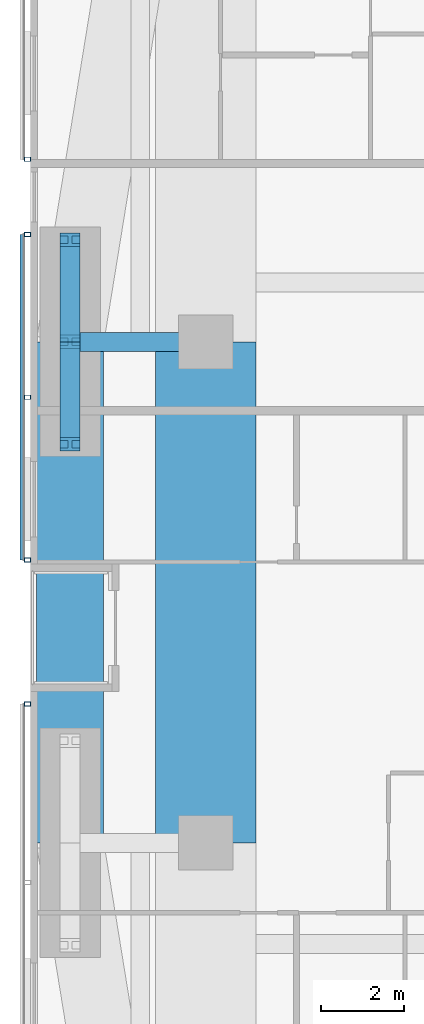
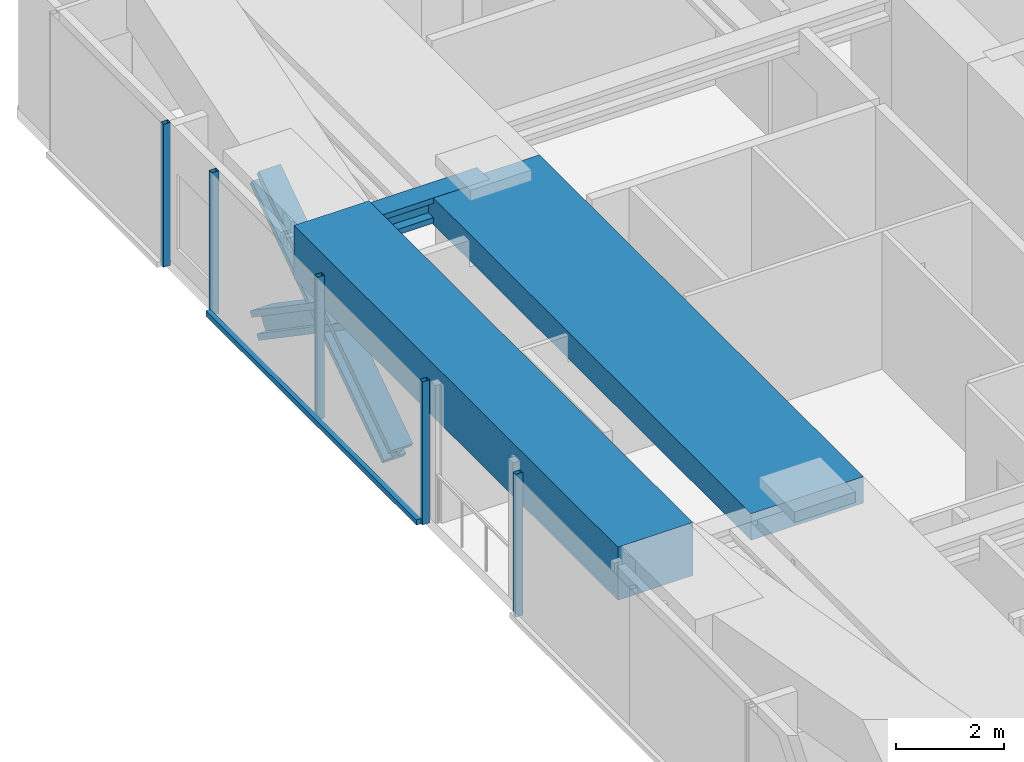
# One storey, part 6 of 24: 10 members, 3 beams, 3 elements without a shape of their own.
"""IFC4 building model written with IfcOpenShell, lengths in metres."""

from ifc_helpers import new_model, si_unit, direction, frame, origin, origin_2d, place, context, subcontext, project, spatial, rectangle, hollow_rectangle, i_section, extrude, material, material_profile, profile_set, type_object, element, aggregate, save


model = new_model("IFC4")

# Units and contexts
model_context = context("Model", 3, precision=1e-05, world=origin(), true_north=direction((0.0, 1.0)))
body_context = subcontext(model_context, "Body", "Model", "MODEL_VIEW")
ifc_project = project(units=[si_unit("LENGTHUNIT", "METRE"), si_unit("AREAUNIT", "SQUARE_METRE"), si_unit("VOLUMEUNIT", "CUBIC_METRE"), si_unit("PLANEANGLEUNIT", "RADIAN"), si_unit("MASSUNIT", "GRAM", prefix="KILO")], contexts=[model_context])

# Site, building, storey
site_placement = place(None, origin())
site = spatial("IfcSite", under=ifc_project, at=site_placement, CompositionType="ELEMENT")
building_placement = place(site_placement, origin())
building = spatial("IfcBuilding", under=site, at=building_placement, Name="Jalousie Tower", CompositionType="ELEMENT")
storey_placement = place(building_placement, frame((0.0, 0.0, 131.64990234375)))
storey = spatial("IfcBuildingStorey", under=building, at=storey_placement, Name="L36", CompositionType="ELEMENT", Elevation=131.64990234375)

# Beam
ifc_material_1 = material(Name="Steel ASTM A992 Grade 50", Category="steel")
ifc_material_profile_1 = material_profile(ifc_material_1, i_section(OverallWidth=0.45458984375, OverallDepth=0.569091796875, WebThickness=0.077880859375, FlangeThickness=0.124755859375, at=origin_2d()), Name="W14X730")
ifc_profile_set_1 = profile_set([ifc_material_profile_1], Name="Steel ASTM A992 Grade 50")
beam_type_1 = type_object("IfcBeamType", Name="LEAN COLLECTOR W14X730", PredefinedType="BEAM", material=ifc_profile_set_1)
beam_1_placement = place(storey_placement, frame((6.949951171875, 25.0, 2.82568359375), z_axis=(1.0, 0.0, 0.0), x_axis=(0.0, 1.0, 0.0)))
element("IfcBeam", 1, at=beam_1_placement, inside=storey, type_object=beam_type_1, Name="Lean collector under L37", PredefinedType="BEAM", context=body_context, shape_type="SweptSolid", body=[
    extrude(i_section(OverallWidth=0.45458984375, OverallDepth=0.569091796875, WebThickness=0.077880859375, FlangeThickness=0.124755859375, at=origin_2d()), origin(), (0.0, 0.0, 1.0), 3.25),
])

# Members
ifc_material_2 = material(Name="Steel ASTM A992 Grade 50", Category="steel")
ifc_material_profile_2 = material_profile(ifc_material_2, i_section(OverallWidth=0.472412109375, OverallDepth=0.5791015625, WebThickness=0.094970703125, FlangeThickness=0.1298828125, at=origin_2d()), Name="W14X808")
ifc_profile_set_2 = profile_set([ifc_material_profile_2], Name="Steel ASTM A992 Grade 50")
member_type_1 = type_object("IfcMemberType", Name="PERIMETER BRACE W14X808", PredefinedType="BRACE", material=ifc_profile_set_2)
for number, where, z_axis, x_axis, name in (
    (2, (6.949951171875, 22.550048828125, -0.599853515625), (0.0, 0.825500916831, 0.564400776321), (-1.0, 0.0, 0.0), "Perimeter brace 13 L36 part 1"),
    (3, (6.949951171875, 25.0, 1.0751953125), (0.0, 0.825539243753, 0.564344714713), (-1.0, 0.0, 0.0), "Perimeter brace 13 L36 part 2"),
    (4, (6.949951171875, 27.449951171875, -0.599853515625), (0.0, -0.825500916831, 0.564400776321), (1.0, 0.0, 0.0), "Perimeter brace 13 L36 part 3"),
    (5, (6.949951171875, 25.0, 1.0751953125), (0.0, -0.825539243753, 0.564344714713), (1.0, 0.0, 0.0), "Perimeter brace 13 L36 part 4"),
):
    element("IfcMember", number, at=place(storey_placement, frame(where, z_axis=z_axis, x_axis=x_axis)), inside=storey, type_object=member_type_1, Name=name, PredefinedType="BRACE", context=body_context, shape_type="SweptSolid", body=[
        extrude(i_section(OverallWidth=0.472412109375, OverallDepth=0.5791015625, WebThickness=0.094970703125, FlangeThickness=0.1298828125, at=origin_2d()), origin(), (0.0, 0.0, 1.0), 2.9677734375),
    ])

# Beams
ifc_material_3 = material(Name="Concrete f'c 40 MPa", Category="concrete")
ifc_material_profile_3 = material_profile(ifc_material_3, rectangle(XDim=1.60009765625, YDim=1.199951171875, at=origin_2d()), Name="RC 1600x1200")
ifc_profile_set_3 = profile_set([ifc_material_profile_3], Name="Concrete f'c 40 MPa")
beam_type_2 = type_object("IfcBeamType", Name="RC BEAM 1600x1200", PredefinedType="BEAM", material=ifc_profile_set_3)
beam_2_placement = place(storey_placement, frame((6.949951171875, 25.0, 2.75), z_axis=(0.0, -1.0, 0.0), x_axis=(1.0, 0.0, 0.0)))
element("IfcBeam", 6, at=beam_2_placement, inside=storey, type_object=beam_type_2, Name="Edge band beam 13-14 under L37", PredefinedType="BEAM", context=body_context, shape_type="SweptSolid", body=[
    extrude(rectangle(XDim=1.60009765625, YDim=1.199951171875, at=origin_2d()), origin(), (0.0, 0.0, 1.0), 12.0),
])
ifc_material_4 = material(Name="Concrete f'c 40 MPa", Category="concrete")
ifc_material_profile_4 = material_profile(ifc_material_4, rectangle(XDim=2.39990234375, YDim=0.60009765625, at=origin_2d()), Name="RC 2400x600")
ifc_profile_set_4 = profile_set([ifc_material_profile_4], Name="Concrete f'c 40 MPa")
beam_type_3 = type_object("IfcBeamType", Name="RC BEAM 2400x600", PredefinedType="BEAM", material=ifc_profile_set_4)
beam_3_placement = place(storey_placement, frame((10.199951171875, 13.0, 2.81005859375), z_axis=(0.0, 1.0, 0.0), x_axis=(-1.0, 0.0, 0.0)))
element("IfcBeam", 7, at=beam_3_placement, inside=storey, type_object=beam_type_3, Name="Floor band beam under L37", PredefinedType="BEAM", context=body_context, shape_type="SweptSolid", body=[
    extrude(rectangle(XDim=2.39990234375, YDim=0.60009765625, at=origin_2d()), origin(), (0.0, 0.0, 1.0), 12.0),
])

# Curtain wall, member
ifc_material_5 = material(Name="Perforated aluminium sheet", Category="aluminium")
curtain_wall_type = type_object("IfcCurtainWallType", Name="SOLAR SCREEN SS-1", PredefinedType="USERDEFINED", material=ifc_material_5)
curtain_wall_1_placement = place(storey_placement, origin())
curtain_wall_1 = element("IfcCurtainWall", 8, at=curtain_wall_1_placement, inside=storey, type_object=curtain_wall_type, Name="Solar screen L36", ObjectType="SOLAR SCREEN SS-1", PredefinedType="USERDEFINED")
ifc_material_6 = material(Name="Steel ASTM A500 Grade C", Category="steel")
ifc_material_profile_5 = material_profile(ifc_material_6, hollow_rectangle(XDim=0.1015625, YDim=0.15234375, WallThickness=0.00634765625, at=origin_2d()), Name="HSS6X4X1/4")
ifc_profile_set_5 = profile_set([ifc_material_profile_5], Name="Steel ASTM A500 Grade C")
member_type_2 = type_object("IfcMemberType", Name="SOLAR SCREEN SS-1 MULLION", PredefinedType="MULLION", material=ifc_profile_set_5)
member_1_placement = place(storey_placement, frame((5.9287109375, 29.375, -0.119873046875), z_axis=(0.0, 0.0, 1.0), x_axis=(0.0, -1.0, 0.0)))
member_1 = element("IfcMember", 9, at=member_1_placement, type_object=member_type_2, Name="SS1 post 2", PredefinedType="MULLION", context=body_context, shape_type="SweptSolid", body=[
    extrude(hollow_rectangle(XDim=0.1015625, YDim=0.15234375, WallThickness=0.00634765625, at=origin_2d()), origin(), (0.0, 0.0, 1.0), 3.22998046875),
])
aggregate(curtain_wall_1, [member_1])

# Curtain wall, members
curtain_wall_2_placement = place(storey_placement, origin())
curtain_wall_2 = element("IfcCurtainWall", 10, at=curtain_wall_2_placement, inside=storey, type_object=curtain_wall_type, Name="Solar screen L36", ObjectType="SOLAR SCREEN SS-1", PredefinedType="USERDEFINED")
member_2_placement = place(storey_placement, frame((5.9287109375, 27.57470703125, -0.119873046875), z_axis=(0.0, 0.0, 1.0), x_axis=(0.0, -1.0, 0.0)))
member_2 = element("IfcMember", 11, at=member_2_placement, type_object=member_type_2, Name="SS1 post 1", PredefinedType="MULLION", context=body_context, shape_type="SweptSolid", body=[
    extrude(hollow_rectangle(XDim=0.1015625, YDim=0.15234375, WallThickness=0.00634765625, at=origin_2d()), origin(), (0.0, 0.0, 1.0), 3.22998046875),
])
member_3_placement = place(storey_placement, frame((5.9287109375, 23.6748046875, -0.119873046875), z_axis=(0.0, 0.0, 1.0), x_axis=(0.0, -1.0, 0.0)))
member_3 = element("IfcMember", 12, at=member_3_placement, type_object=member_type_2, Name="SS1 post 2", PredefinedType="MULLION", context=body_context, shape_type="SweptSolid", body=[
    extrude(hollow_rectangle(XDim=0.1015625, YDim=0.15234375, WallThickness=0.00634765625, at=origin_2d()), origin(), (0.0, 0.0, 1.0), 3.22998046875),
])
member_4_placement = place(storey_placement, frame((5.9287109375, 19.77490234375, -0.119873046875), z_axis=(0.0, 0.0, 1.0), x_axis=(0.0, -1.0, 0.0)))
member_4 = element("IfcMember", 13, at=member_4_placement, type_object=member_type_2, Name="SS1 post 3", PredefinedType="MULLION", context=body_context, shape_type="SweptSolid", body=[
    extrude(hollow_rectangle(XDim=0.1015625, YDim=0.15234375, WallThickness=0.00634765625, at=origin_2d()), origin(), (0.0, 0.0, 1.0), 3.22998046875),
])

# Curtain wall, member
curtain_wall_3_placement = place(storey_placement, origin())
curtain_wall_3 = element("IfcCurtainWall", 14, at=curtain_wall_3_placement, inside=storey, type_object=curtain_wall_type, Name="Solar screen L36", ObjectType="SOLAR SCREEN SS-1", PredefinedType="USERDEFINED")
member_5_placement = place(storey_placement, frame((5.9287109375, 16.324951171875, -0.119873046875), z_axis=(0.0, 0.0, 1.0), x_axis=(0.0, -1.0, 0.0)))
member_5 = element("IfcMember", 15, at=member_5_placement, type_object=member_type_2, Name="SS1 post 1", PredefinedType="MULLION", context=body_context, shape_type="SweptSolid", body=[
    extrude(hollow_rectangle(XDim=0.1015625, YDim=0.15234375, WallThickness=0.00634765625, at=origin_2d()), origin(), (0.0, 0.0, 1.0), 3.22998046875),
])
aggregate(curtain_wall_3, [member_5])

# Member
ifc_material_7 = material(Name="Extruded aluminium screen rail", Category="aluminium")
ifc_material_profile_6 = material_profile(ifc_material_7, rectangle(XDim=0.1015625, YDim=0.1201171875, at=origin_2d()), Name="RAIL 102x120")
ifc_profile_set_6 = profile_set([ifc_material_profile_6], Name="Extruded aluminium screen rail")
member_type_3 = type_object("IfcMemberType", Name="SOLAR SCREEN SS-1 TRANSOM", PredefinedType="USERDEFINED", material=ifc_profile_set_6)
member_6_placement = place(storey_placement, frame((5.8017578125, 27.57470703125, -0.059814453125), z_axis=(0.0, -1.0, 0.0), x_axis=(1.0, 0.0, 0.0)))
member_6 = element("IfcMember", 16, at=member_6_placement, type_object=member_type_3, Name="SS1 rail", ObjectType="TRANSOM", PredefinedType="USERDEFINED", context=body_context, shape_type="SweptSolid", body=[
    extrude(rectangle(XDim=0.1015625, YDim=0.1201171875, at=origin_2d()), origin(), (0.0, 0.0, 1.0), 7.7998046875),
])

aggregate(curtain_wall_2, [member_2, member_3, member_4, member_6])

save(model, "model.ifc")
